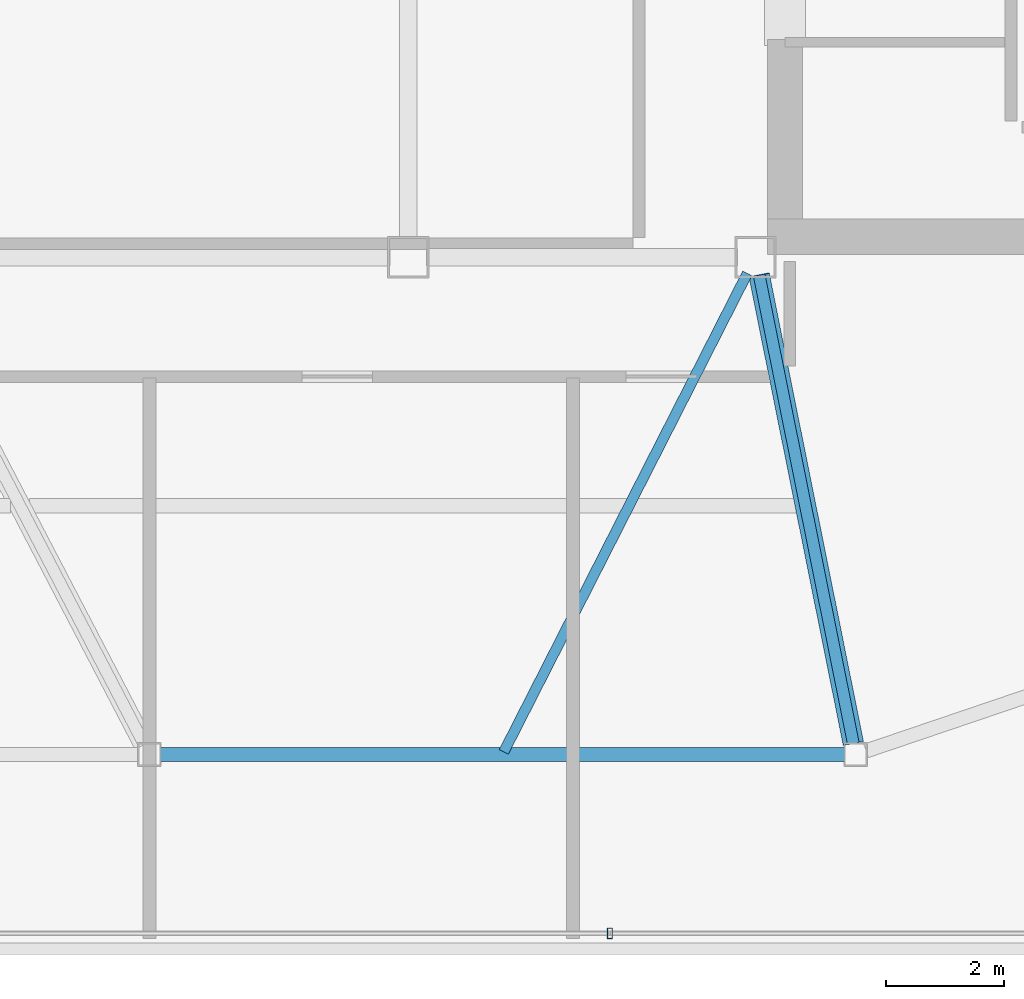
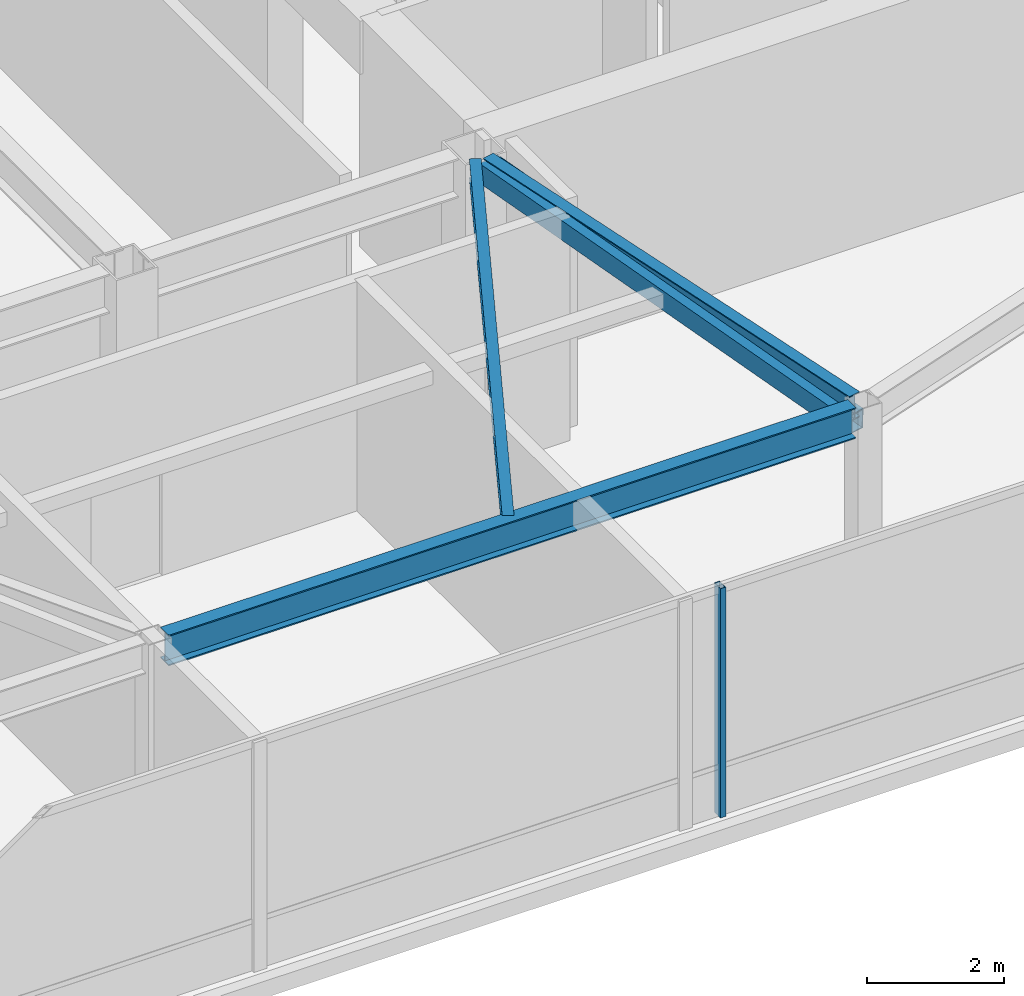
# One storey, part 8 of 21: 3 beams, 2 members, 1 element without a shape of its own.
"""IFC4 building model written with IfcOpenShell, lengths in metres."""

from ifc_helpers import new_model, si_unit, direction, frame, origin, origin_2d, place, context, subcontext, project, spatial, hollow_rectangle, i_section, extrude, material, layer, layer_set, material_profile, profile_set, type_object, element, aggregate, save


model = new_model("IFC4")

# Units and contexts
model_context = context("Model", 3, precision=1e-05, world=origin(), true_north=direction((0.0, 1.0)))
body_context = subcontext(model_context, "Body", "Model", "MODEL_VIEW")
ifc_project = project(units=[si_unit("LENGTHUNIT", "METRE"), si_unit("AREAUNIT", "SQUARE_METRE"), si_unit("VOLUMEUNIT", "CUBIC_METRE"), si_unit("PLANEANGLEUNIT", "RADIAN"), si_unit("MASSUNIT", "GRAM", prefix="KILO")], contexts=[model_context])

# Site, building, storey
site_placement = place(None, origin())
site = spatial("IfcSite", under=ifc_project, at=site_placement, CompositionType="ELEMENT")
building_placement = place(site_placement, origin())
building = spatial("IfcBuilding", under=site, at=building_placement, Name="Tavrogorsk Clinical Tower", CompositionType="ELEMENT")
storey_placement = place(building_placement, frame((0.0, 0.0, 344.199951171875)))
storey = spatial("IfcBuildingStorey", under=building, at=storey_placement, Name="L80", CompositionType="ELEMENT", Elevation=344.199951171875)

# Member
ifc_material_1 = material(Name="Structural steel S390", Category="steel")
ifc_material_profile_1 = material_profile(ifc_material_1, hollow_rectangle(XDim=0.35009765625, YDim=0.35009765625, WallThickness=0.01611328125, at=origin_2d()), Name="SHS-350x350x16")
ifc_profile_set_1 = profile_set([ifc_material_profile_1], Name="Structural steel S390")
member_type_1 = type_object("IfcMemberType", Name="CrownFacetRafter_SHS350", PredefinedType="RAFTER", material=ifc_profile_set_1)
member_1_placement = place(storey_placement, frame((10.361083984375, -6.65380859375, 3.869384765625), z_axis=(0.197131196678, -0.97975889631, -0.03481086608), x_axis=(0.980353070529, 0.197250746779, 0.0)))
element("IfcMember", 1, at=member_1_placement, inside=storey, type_object=member_type_1, Name="L80 Sloped Facet Rafter S-3", PredefinedType="RAFTER", context=body_context, shape_type="SweptSolid", body=[
    extrude(hollow_rectangle(XDim=0.35009765625, YDim=0.35009765625, WallThickness=0.01611328125, at=origin_2d()), origin(), (0.0, 0.0, 1.0), 8.114501953125),
])

# Curtain wall, member
ifc_material_2 = material(Name="Anodised aluminium and triple IGU glazing", Category="aluminium")
ifc_layer = layer(ifc_material_2, 0.179931640625)
ifc_layer_set = layer_set([ifc_layer], Name="Anodised aluminium and triple IGU glazing")
curtain_wall_type = type_object("IfcCurtainWallType", Name="CW5_SkyLobby", PredefinedType="NOTDEFINED", material=ifc_layer_set)
curtain_wall_placement = place(storey_placement, origin())
curtain_wall = element("IfcCurtainWall", 2, at=curtain_wall_placement, inside=storey, type_object=curtain_wall_type, Name="L80 Curtain Wall CW-L80-DRUM-8", PredefinedType="NOTDEFINED")
ifc_material_3 = material(Name="Anodised aluminium alloy AW-6060", Category="aluminium")
ifc_material_profile_2 = material_profile(ifc_material_3, hollow_rectangle(XDim=0.090087890625, YDim=0.179931640625, WallThickness=0.00634765625, at=origin_2d()), Name="RHS-180x90x6.3")
ifc_profile_set_2 = profile_set([ifc_material_profile_2], Name="Anodised aluminium alloy AW-6060")
member_type_2 = type_object("IfcMemberType", Name="CwMullion_180x90", PredefinedType="MULLION", material=ifc_profile_set_2)
member_2_placement = place(storey_placement, frame((7.824462890625, -17.840087890625, 0.0), z_axis=(0.0, 0.0, 1.0), x_axis=(-1.0, 0.0, 0.0)))
member_2 = element("IfcMember", 3, at=member_2_placement, type_object=member_type_2, Name="CW-L80-DRUM-8 Mullion 2", PredefinedType="MULLION", context=body_context, shape_type="SweptSolid", body=[
    extrude(hollow_rectangle(XDim=0.090087890625, YDim=0.179931640625, WallThickness=0.00634765625, at=origin_2d()), origin(), (0.0, 0.0, 1.0), 4.10009765625),
])
aggregate(curtain_wall, [member_2])

# Beams
ifc_material_4 = material(Name="Structural steel S355", Category="steel")
ifc_material_profile_3 = material_profile(ifc_material_4, i_section(OverallWidth=0.199951171875, OverallDepth=0.449951171875, WebThickness=0.011474609375, FlangeThickness=0.01806640625, at=origin_2d()), Name="B-450x200x11.5x18")
ifc_profile_set_3 = profile_set([ifc_material_profile_3], Name="Structural steel S355")
beam_type_1 = type_object("IfcBeamType", Name="FloorBeam_B450", PredefinedType="BEAM", material=ifc_profile_set_3)
beam_1_placement = place(storey_placement, frame((10.361083984375, -6.65380859375, 3.875), z_axis=(0.197249355273, -0.980353350504, 0.0), x_axis=(0.980353350504, 0.197249355273, 0.0)))
element("IfcBeam", 4, at=beam_1_placement, inside=storey, type_object=beam_type_1, Name="L80 Crown Radial Beam 03", PredefinedType="BEAM", context=body_context, shape_type="SweptSolid", body=[
    extrude(i_section(OverallWidth=0.199951171875, OverallDepth=0.449951171875, WebThickness=0.011474609375, FlangeThickness=0.01806640625, at=origin_2d()), origin(), (0.0, 0.0, 1.0), 8.119384765625),
])
ifc_material_5 = material(Name="Structural steel S355", Category="steel")
ifc_material_profile_4 = material_profile(ifc_material_5, i_section(OverallWidth=0.175048828125, OverallDepth=0.35009765625, WebThickness=0.009521484375, FlangeThickness=0.013916015625, at=origin_2d()), Name="B-350x175x9.5x14")
ifc_profile_set_4 = profile_set([ifc_material_profile_4], Name="Structural steel S355")
beam_type_2 = type_object("IfcBeamType", Name="SecondaryJoist_B350", PredefinedType="JOIST", material=ifc_profile_set_4)
beam_2_placement = place(storey_placement, frame((10.159423828125, -6.626220703125, 3.925048828125), z_axis=(-0.4535299827, -0.891241019474, 0.0), x_axis=(0.891241019474, -0.4535299827, 0.0)))
element("IfcBeam", 5, at=beam_2_placement, inside=storey, type_object=beam_type_2, Name="L80 Crown Secondary Joist 02", PredefinedType="JOIST", context=body_context, shape_type="SweptSolid", body=[
    extrude(i_section(OverallWidth=0.175048828125, OverallDepth=0.35009765625, WebThickness=0.009521484375, FlangeThickness=0.013916015625, at=origin_2d()), origin(), (0.0, 0.0, 1.0), 9.12109375),
])
ifc_material_6 = material(Name="Structural steel S390", Category="steel")
ifc_material_profile_5 = material_profile(ifc_material_6, i_section(OverallWidth=0.239990234375, OverallDepth=0.550048828125, WebThickness=0.013916015625, FlangeThickness=0.02197265625, at=origin_2d()), Name="B-550x240x14x22")
ifc_profile_set_5 = profile_set([ifc_material_profile_5], Name="Structural steel S390")
beam_type_3 = type_object("IfcBeamType", Name="SpandrelBeam_B550", PredefinedType="SPANDREL", material=ifc_profile_set_5)
beam_3_placement = place(storey_placement, frame((0.18994140625, -14.800048828125, 3.824951171875), z_axis=(1.0, 0.0, 0.0), x_axis=(0.0, 1.0, 0.0)))
element("IfcBeam", 6, at=beam_3_placement, inside=storey, type_object=beam_type_3, Name="L80 Crown Spandrel Beam 02", PredefinedType="SPANDREL", context=body_context, shape_type="SweptSolid", body=[
    extrude(i_section(OverallWidth=0.239990234375, OverallDepth=0.550048828125, WebThickness=0.013916015625, FlangeThickness=0.02197265625, at=origin_2d()), origin(), (0.0, 0.0, 1.0), 11.6201171875),
])

save(model, "model.ifc")
